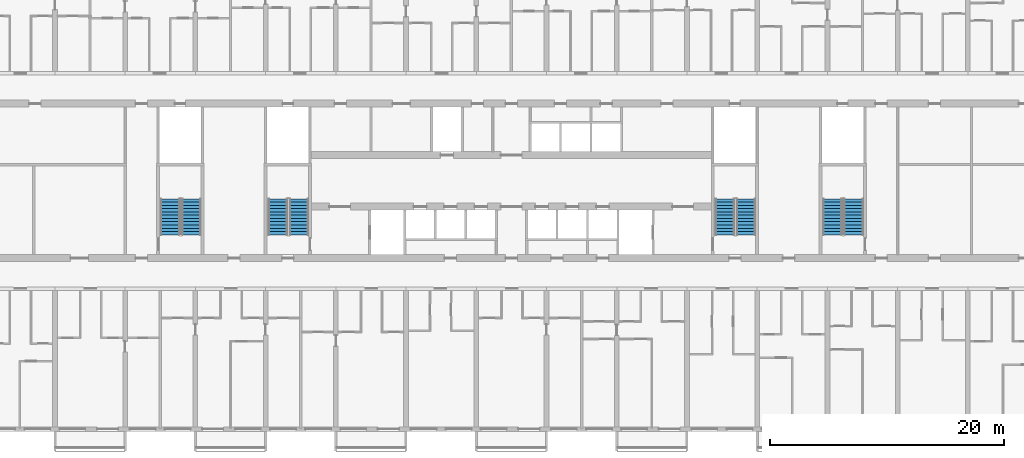
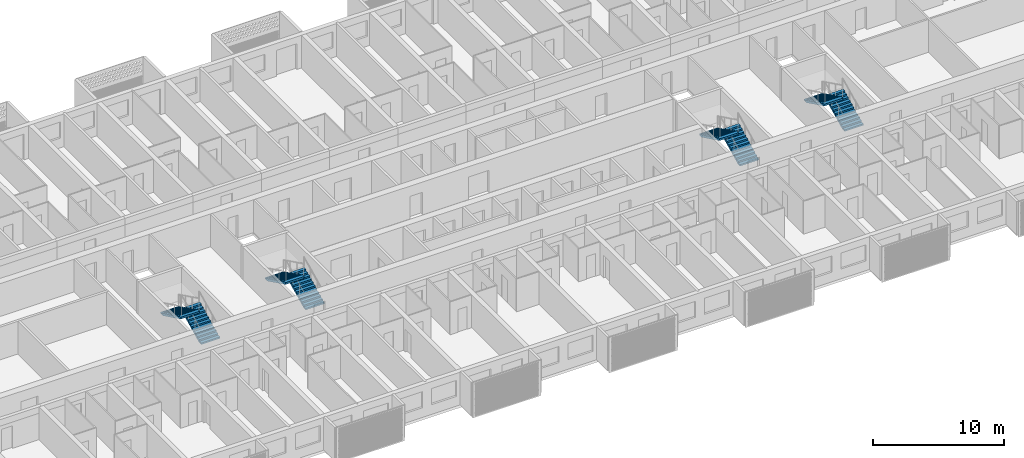
# One storey, part 18 of 38: 8 stair flights, 4 elements without a shape of their own.
"""IFC4 building model written with IfcOpenShell, lengths in metres."""

from ifc_helpers import new_model, si_unit, direction, frame, origin, place, context, subcontext, project, spatial, polyline, outline, extrude, material, layer, layer_set, type_object, element, aggregate, save


model = new_model("IFC4")

# Units and contexts
model_context = context("Model", 3, precision=1e-05, world=origin(), true_north=direction((0.0, 1.0)))
body_context = subcontext(model_context, "Body", "Model", "MODEL_VIEW")
ifc_project = project(units=[si_unit("LENGTHUNIT", "METRE"), si_unit("AREAUNIT", "SQUARE_METRE"), si_unit("VOLUMEUNIT", "CUBIC_METRE"), si_unit("PLANEANGLEUNIT", "RADIAN"), si_unit("MASSUNIT", "GRAM", prefix="KILO")], contexts=[model_context])

# Site, building, storey
site_placement = place(None, origin())
site = spatial("IfcSite", under=ifc_project, at=site_placement, CompositionType="ELEMENT")
building_placement = place(site_placement, origin())
building = spatial("IfcBuilding", under=site, at=building_placement, Name="Poui Terraces", CompositionType="ELEMENT")
storey_placement = place(building_placement, frame((0.0, 0.0, 43.199951171875)))
storey = spatial("IfcBuildingStorey", under=building, at=storey_placement, Name="L11", CompositionType="ELEMENT", Elevation=43.199951171875)

# Stair, stair flights
ifc_material = material(Name="Concrete 80 MPa", Category="concrete")
stair_type = type_object("IfcStairType", Name="EXIT STAIR 1650 80 MPA", PredefinedType="HALF_TURN_STAIR", material=ifc_material)
stair_1_placement = place(storey_placement, origin())
stair_1 = element("IfcStair", 1, at=stair_1_placement, inside=storey, type_object=stair_type, Name="L11 CORE STAIR EAST", PredefinedType="HALF_TURN_STAIR")
ifc_layer = layer(ifc_material, 0.14990234375)
ifc_layer_set = layer_set([ifc_layer], Name="Concrete 80 MPa")
stair_flight_type = type_object("IfcStairFlightType", Name="STAIR FLIGHT 12 RISERS 138 RISE 80 MPA", PredefinedType="STRAIGHT", material=ifc_layer_set)
stair_flight_1_placement = place(storey_placement, frame((71.050048828125, 16.60009765625, 0.0), z_axis=(0.0, 0.0, 1.0), x_axis=(0.0, 1.0, 0.0)))
stair_flight_1 = element("IfcStairFlight", 2, at=stair_flight_1_placement, type_object=stair_flight_type, Name="ST-CE flight 1", NumberOfRisers=12, NumberOfTreads=11, PredefinedType="STRAIGHT", RiserHeight=0.1375, TreadLength=0.28, context=body_context, shape_type="SweptSolid", body=[
    extrude(outline(polyline([(0.0, 0.0), (0.0, 0.137451171875), (0.280029296875, 0.137451171875), (0.280029296875, 0.27490234375), (0.56005859375, 0.27490234375), (0.56005859375, 0.41259765625), (0.840087890625, 0.41259765625), (0.840087890625, 0.550048828125), (1.1201171875, 0.550048828125), (1.1201171875, 0.6875), (1.39990234375, 0.6875), (1.39990234375, 0.824951171875), (1.679931640625, 0.824951171875), (1.679931640625, 0.96240234375), (1.9599609375, 0.96240234375), (1.9599609375, 1.10009765625), (2.239990234375, 1.10009765625), (2.239990234375, 1.237548828125), (2.52001953125, 1.237548828125), (2.52001953125, 1.375), (2.800048828125, 1.375), (2.800048828125, 1.512451171875), (3.080078125, 1.512451171875), (3.080078125, 1.64990234375), (3.080078125, 1.345458984375), (0.340087890625, 0.0), (0.0, 0.0)])), frame((0.0, 0.824951171875, 0.0), z_axis=(0.0, -1.0, 0.0), x_axis=(1.0, 0.0, 0.0)), (0.0, 0.0, 1.0), 1.64990234375),
])
stair_flight_2_placement = place(storey_placement, frame((69.25, 19.679931640625, 1.650146484375), z_axis=(0.0, 0.0, 1.0), x_axis=(0.0, -1.0, 0.0)))
stair_flight_2 = element("IfcStairFlight", 3, at=stair_flight_2_placement, type_object=stair_flight_type, Name="ST-CE flight 2", NumberOfRisers=12, NumberOfTreads=11, PredefinedType="STRAIGHT", RiserHeight=0.1375, TreadLength=0.28, context=body_context, shape_type="SweptSolid", body=[
    extrude(outline(polyline([(0.0, 0.0), (0.0, 0.137451171875), (0.280029296875, 0.137451171875), (0.280029296875, 0.27490234375), (0.56005859375, 0.27490234375), (0.56005859375, 0.41259765625), (0.840087890625, 0.41259765625), (0.840087890625, 0.550048828125), (1.1201171875, 0.550048828125), (1.1201171875, 0.6875), (1.39990234375, 0.6875), (1.39990234375, 0.824951171875), (1.679931640625, 0.824951171875), (1.679931640625, 0.96240234375), (1.9599609375, 0.96240234375), (1.9599609375, 1.10009765625), (2.239990234375, 1.10009765625), (2.239990234375, 1.237548828125), (2.52001953125, 1.237548828125), (2.52001953125, 1.375), (2.800048828125, 1.375), (2.800048828125, 1.512451171875), (3.080078125, 1.512451171875), (3.080078125, 1.64990234375), (3.080078125, 1.345458984375), (0.340087890625, 0.0), (0.0, 0.0)])), frame((0.0, 0.824951171875, 0.0), z_axis=(0.0, -1.0, 0.0), x_axis=(1.0, 0.0, 0.0)), (0.0, 0.0, 1.0), 1.64990234375),
])
aggregate(stair_1, [stair_flight_1, stair_flight_2])

stair_2_placement = place(storey_placement, origin())
stair_2 = element("IfcStair", 4, at=stair_2_placement, inside=storey, type_object=stair_type, Name="L11 CORE STAIR WEST", PredefinedType="HALF_TURN_STAIR")
stair_flight_3_placement = place(storey_placement, frame((32.85009765625, 16.60009765625, 0.0), z_axis=(0.0, 0.0, 1.0), x_axis=(0.0, 1.0, 0.0)))
stair_flight_3 = element("IfcStairFlight", 5, at=stair_flight_3_placement, type_object=stair_flight_type, Name="ST-CW flight 1", NumberOfRisers=12, NumberOfTreads=11, PredefinedType="STRAIGHT", RiserHeight=0.1375, TreadLength=0.28, context=body_context, shape_type="SweptSolid", body=[
    extrude(outline(polyline([(0.0, 0.0), (0.0, 0.137451171875), (0.280029296875, 0.137451171875), (0.280029296875, 0.27490234375), (0.56005859375, 0.27490234375), (0.56005859375, 0.41259765625), (0.840087890625, 0.41259765625), (0.840087890625, 0.550048828125), (1.1201171875, 0.550048828125), (1.1201171875, 0.6875), (1.39990234375, 0.6875), (1.39990234375, 0.824951171875), (1.679931640625, 0.824951171875), (1.679931640625, 0.96240234375), (1.9599609375, 0.96240234375), (1.9599609375, 1.10009765625), (2.239990234375, 1.10009765625), (2.239990234375, 1.237548828125), (2.52001953125, 1.237548828125), (2.52001953125, 1.375), (2.800048828125, 1.375), (2.800048828125, 1.512451171875), (3.080078125, 1.512451171875), (3.080078125, 1.64990234375), (3.080078125, 1.345458984375), (0.340087890625, 0.0), (0.0, 0.0)])), frame((0.0, 0.824951171875, 0.0), z_axis=(0.0, -1.0, 0.0), x_axis=(1.0, 0.0, 0.0)), (0.0, 0.0, 1.0), 1.64990234375),
])
stair_flight_4_placement = place(storey_placement, frame((31.050048828125, 19.679931640625, 1.650146484375), z_axis=(0.0, 0.0, 1.0), x_axis=(0.0, -1.0, 0.0)))
stair_flight_4 = element("IfcStairFlight", 6, at=stair_flight_4_placement, type_object=stair_flight_type, Name="ST-CW flight 2", NumberOfRisers=12, NumberOfTreads=11, PredefinedType="STRAIGHT", RiserHeight=0.1375, TreadLength=0.28, context=body_context, shape_type="SweptSolid", body=[
    extrude(outline(polyline([(0.0, 0.0), (0.0, 0.137451171875), (0.280029296875, 0.137451171875), (0.280029296875, 0.27490234375), (0.56005859375, 0.27490234375), (0.56005859375, 0.41259765625), (0.840087890625, 0.41259765625), (0.840087890625, 0.550048828125), (1.1201171875, 0.550048828125), (1.1201171875, 0.6875), (1.39990234375, 0.6875), (1.39990234375, 0.824951171875), (1.679931640625, 0.824951171875), (1.679931640625, 0.96240234375), (1.9599609375, 0.96240234375), (1.9599609375, 1.10009765625), (2.239990234375, 1.10009765625), (2.239990234375, 1.237548828125), (2.52001953125, 1.237548828125), (2.52001953125, 1.375), (2.800048828125, 1.375), (2.800048828125, 1.512451171875), (3.080078125, 1.512451171875), (3.080078125, 1.64990234375), (3.080078125, 1.345458984375), (0.340087890625, 0.0), (0.0, 0.0)])), frame((0.0, 0.824951171875, 0.0), z_axis=(0.0, -1.0, 0.0), x_axis=(1.0, 0.0, 0.0)), (0.0, 0.0, 1.0), 1.64990234375),
])
aggregate(stair_2, [stair_flight_3, stair_flight_4])

stair_3_placement = place(storey_placement, origin())
stair_3 = element("IfcStair", 7, at=stair_3_placement, inside=storey, type_object=stair_type, Name="L11 TIP STAIR EAST", PredefinedType="HALF_TURN_STAIR")
stair_flight_5_placement = place(storey_placement, frame((80.25, 16.60009765625, 0.0), z_axis=(0.0, 0.0, 1.0), x_axis=(0.0, 1.0, 0.0)))
stair_flight_5 = element("IfcStairFlight", 8, at=stair_flight_5_placement, type_object=stair_flight_type, Name="ST-E flight 1", NumberOfRisers=12, NumberOfTreads=11, PredefinedType="STRAIGHT", RiserHeight=0.1375, TreadLength=0.28, context=body_context, shape_type="SweptSolid", body=[
    extrude(outline(polyline([(0.0, 0.0), (0.0, 0.137451171875), (0.280029296875, 0.137451171875), (0.280029296875, 0.27490234375), (0.56005859375, 0.27490234375), (0.56005859375, 0.41259765625), (0.840087890625, 0.41259765625), (0.840087890625, 0.550048828125), (1.1201171875, 0.550048828125), (1.1201171875, 0.6875), (1.39990234375, 0.6875), (1.39990234375, 0.824951171875), (1.679931640625, 0.824951171875), (1.679931640625, 0.96240234375), (1.9599609375, 0.96240234375), (1.9599609375, 1.10009765625), (2.239990234375, 1.10009765625), (2.239990234375, 1.237548828125), (2.52001953125, 1.237548828125), (2.52001953125, 1.375), (2.800048828125, 1.375), (2.800048828125, 1.512451171875), (3.080078125, 1.512451171875), (3.080078125, 1.64990234375), (3.080078125, 1.345458984375), (0.340087890625, 0.0), (0.0, 0.0)])), frame((0.0, 0.824951171875, 0.0), z_axis=(0.0, -1.0, 0.0), x_axis=(1.0, 0.0, 0.0)), (0.0, 0.0, 1.0), 1.64990234375),
])
stair_flight_6_placement = place(storey_placement, frame((78.449951171875, 19.679931640625, 1.650146484375), z_axis=(0.0, 0.0, 1.0), x_axis=(0.0, -1.0, 0.0)))
stair_flight_6 = element("IfcStairFlight", 9, at=stair_flight_6_placement, type_object=stair_flight_type, Name="ST-E flight 2", NumberOfRisers=12, NumberOfTreads=11, PredefinedType="STRAIGHT", RiserHeight=0.1375, TreadLength=0.28, context=body_context, shape_type="SweptSolid", body=[
    extrude(outline(polyline([(0.0, 0.0), (0.0, 0.137451171875), (0.280029296875, 0.137451171875), (0.280029296875, 0.27490234375), (0.56005859375, 0.27490234375), (0.56005859375, 0.41259765625), (0.840087890625, 0.41259765625), (0.840087890625, 0.550048828125), (1.1201171875, 0.550048828125), (1.1201171875, 0.6875), (1.39990234375, 0.6875), (1.39990234375, 0.824951171875), (1.679931640625, 0.824951171875), (1.679931640625, 0.96240234375), (1.9599609375, 0.96240234375), (1.9599609375, 1.10009765625), (2.239990234375, 1.10009765625), (2.239990234375, 1.237548828125), (2.52001953125, 1.237548828125), (2.52001953125, 1.375), (2.800048828125, 1.375), (2.800048828125, 1.512451171875), (3.080078125, 1.512451171875), (3.080078125, 1.64990234375), (3.080078125, 1.345458984375), (0.340087890625, 0.0), (0.0, 0.0)])), frame((0.0, 0.824951171875, 0.0), z_axis=(0.0, -1.0, 0.0), x_axis=(1.0, 0.0, 0.0)), (0.0, 0.0, 1.0), 1.64990234375),
])
aggregate(stair_3, [stair_flight_5, stair_flight_6])

stair_4_placement = place(storey_placement, origin())
stair_4 = element("IfcStair", 10, at=stair_4_placement, inside=storey, type_object=stair_type, Name="L11 TIP STAIR WEST", PredefinedType="HALF_TURN_STAIR")
stair_flight_7_placement = place(storey_placement, frame((23.64990234375, 16.60009765625, 0.0), z_axis=(0.0, 0.0, 1.0), x_axis=(0.0, 1.0, 0.0)))
stair_flight_7 = element("IfcStairFlight", 11, at=stair_flight_7_placement, type_object=stair_flight_type, Name="ST-W flight 1", NumberOfRisers=12, NumberOfTreads=11, PredefinedType="STRAIGHT", RiserHeight=0.1375, TreadLength=0.28, context=body_context, shape_type="SweptSolid", body=[
    extrude(outline(polyline([(0.0, 0.0), (0.0, 0.137451171875), (0.280029296875, 0.137451171875), (0.280029296875, 0.27490234375), (0.56005859375, 0.27490234375), (0.56005859375, 0.41259765625), (0.840087890625, 0.41259765625), (0.840087890625, 0.550048828125), (1.1201171875, 0.550048828125), (1.1201171875, 0.6875), (1.39990234375, 0.6875), (1.39990234375, 0.824951171875), (1.679931640625, 0.824951171875), (1.679931640625, 0.96240234375), (1.9599609375, 0.96240234375), (1.9599609375, 1.10009765625), (2.239990234375, 1.10009765625), (2.239990234375, 1.237548828125), (2.52001953125, 1.237548828125), (2.52001953125, 1.375), (2.800048828125, 1.375), (2.800048828125, 1.512451171875), (3.080078125, 1.512451171875), (3.080078125, 1.64990234375), (3.080078125, 1.345458984375), (0.340087890625, 0.0), (0.0, 0.0)])), frame((0.0, 0.824951171875, 0.0), z_axis=(0.0, -1.0, 0.0), x_axis=(1.0, 0.0, 0.0)), (0.0, 0.0, 1.0), 1.64990234375),
])
stair_flight_8_placement = place(storey_placement, frame((21.85009765625, 19.679931640625, 1.650146484375), z_axis=(0.0, 0.0, 1.0), x_axis=(0.0, -1.0, 0.0)))
stair_flight_8 = element("IfcStairFlight", 12, at=stair_flight_8_placement, type_object=stair_flight_type, Name="ST-W flight 2", NumberOfRisers=12, NumberOfTreads=11, PredefinedType="STRAIGHT", RiserHeight=0.1375, TreadLength=0.28, context=body_context, shape_type="SweptSolid", body=[
    extrude(outline(polyline([(0.0, 0.0), (0.0, 0.137451171875), (0.280029296875, 0.137451171875), (0.280029296875, 0.27490234375), (0.56005859375, 0.27490234375), (0.56005859375, 0.41259765625), (0.840087890625, 0.41259765625), (0.840087890625, 0.550048828125), (1.1201171875, 0.550048828125), (1.1201171875, 0.6875), (1.39990234375, 0.6875), (1.39990234375, 0.824951171875), (1.679931640625, 0.824951171875), (1.679931640625, 0.96240234375), (1.9599609375, 0.96240234375), (1.9599609375, 1.10009765625), (2.239990234375, 1.10009765625), (2.239990234375, 1.237548828125), (2.52001953125, 1.237548828125), (2.52001953125, 1.375), (2.800048828125, 1.375), (2.800048828125, 1.512451171875), (3.080078125, 1.512451171875), (3.080078125, 1.64990234375), (3.080078125, 1.345458984375), (0.340087890625, 0.0), (0.0, 0.0)])), frame((0.0, 0.824951171875, 0.0), z_axis=(0.0, -1.0, 0.0), x_axis=(1.0, 0.0, 0.0)), (0.0, 0.0, 1.0), 1.64990234375),
])
aggregate(stair_4, [stair_flight_7, stair_flight_8])

save(model, "model.ifc")
